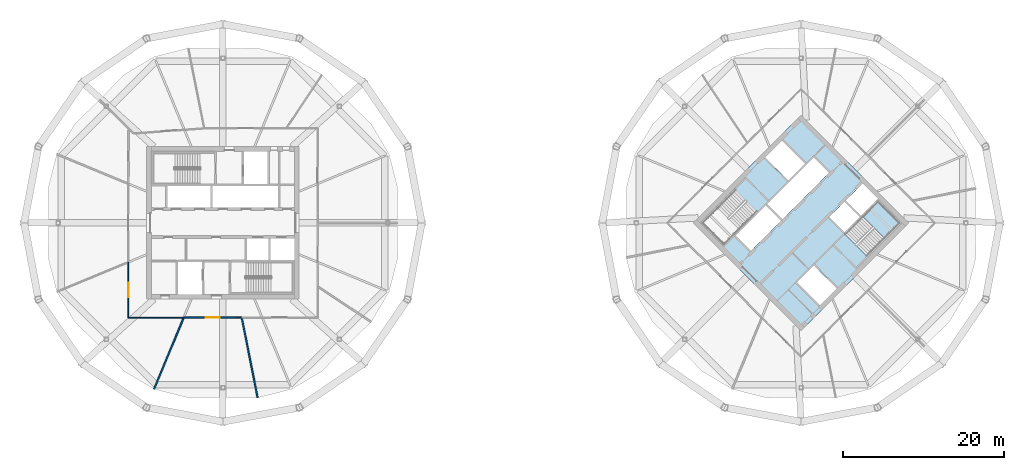
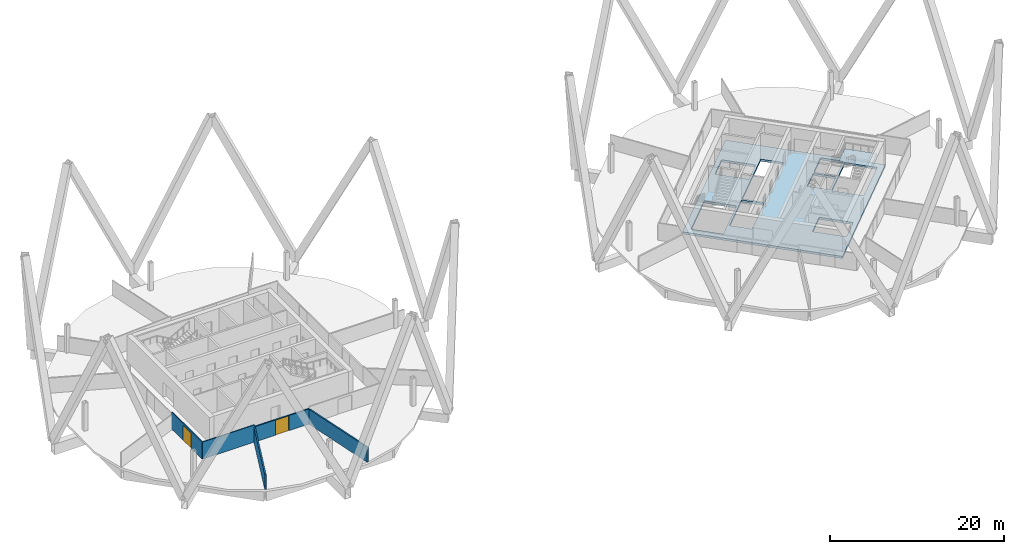
# One storey, part 4 of 10: 5 walls, 2 doors, 2 slabs, 2 openings, 1 element without a shape of its own.
"""IFC4 building model written with IfcOpenShell, lengths in metres."""

from ifc_helpers import new_model, si_unit, direction, frame, frame_2d, origin, place, context, subcontext, project, spatial, polyline, rectangle, outline, extrude, material, layer, layer_set, type_object, element, fill, aggregate, save


model = new_model("IFC4")

# Units and contexts
model_context = context("Model", 3, precision=1e-05, world=origin(), true_north=direction((0.0, 1.0)))
body_context = subcontext(model_context, "Body", "Model", "MODEL_VIEW")
ifc_project = project(units=[si_unit("LENGTHUNIT", "METRE"), si_unit("AREAUNIT", "SQUARE_METRE"), si_unit("VOLUMEUNIT", "CUBIC_METRE"), si_unit("PLANEANGLEUNIT", "RADIAN"), si_unit("MASSUNIT", "GRAM", prefix="KILO")], contexts=[model_context])

# Site, building, storey
site_placement = place(None, origin())
site = spatial("IfcSite", under=ifc_project, at=site_placement, CompositionType="ELEMENT")
building_placement = place(site_placement, origin())
building = spatial("IfcBuilding", under=site, at=building_placement, Name="Ogive Gate Towers", CompositionType="ELEMENT")
storey_placement = place(building_placement, frame((0.0, 0.0, 181.199951171875)))
storey = spatial("IfcBuildingStorey", under=building, at=storey_placement, Name="L43", CompositionType="ELEMENT", Elevation=181.199951171875)

# Slab
ifc_material_1 = material(Name="Concrete C40/50", Category="concrete")
ifc_layer_1 = layer(ifc_material_1, 0.300048828125)
ifc_layer_set_1 = layer_set([ifc_layer_1], Name="Core slab C40/50 300 mm")
slab_type_1 = type_object("IfcSlabType", Name="Core slab C40/50 300 mm", PredefinedType="FLOOR", material=ifc_layer_set_1)
slab_1_placement = place(storey_placement, frame((0.0, 0.0, -0.300048828125)))
element("IfcSlab", 1, at=slab_1_placement, inside=storey, type_object=slab_type_1, Name="T2 L43 core slab", PredefinedType="FLOOR", context=body_context, shape_type="SweptSolid", body=[
    extrude(outline(polyline([(36.0, -13.43505859375), (22.56494140625, 0.0), (36.0, 13.43505859375), (49.43505859375, 0.0), (36.0, -13.43505859375)]), holes=[polyline([(29.759765625, -3.482421875), (33.50732421875, 0.26513671875), (31.615966796875, 2.15673828125), (27.868408203125, -1.591064453125), (29.759765625, -3.482421875)]), polyline([(31.792724609375, 2.33349609375), (33.68408203125, 0.44189453125), (39.482421875, 6.240234375), (37.591064453125, 8.131591796875), (31.792724609375, 2.33349609375)]), polyline([(41.3916015625, 2.634033203125), (39.517822265625, 0.760009765625), (41.409423828125, -1.13134765625), (43.283203125, 0.742431640625), (41.3916015625, 2.634033203125)]), polyline([(45.563720703125, 3.02294921875), (43.672119140625, 4.914306640625), (41.568603515625, 2.810791015625), (43.4599609375, 0.919189453125), (45.563720703125, 3.02294921875)]), polyline([(34.408935546875, 5.30322265625), (36.4951171875, 7.389404296875), (33.64892578125, 10.2353515625), (31.56298828125, 8.1494140625), (34.408935546875, 5.30322265625)]), polyline([(35.5048828125, -7.389404296875), (38.35107421875, -10.2353515625), (40.43701171875, -8.1494140625), (37.591064453125, -5.30322265625), (35.5048828125, -7.389404296875)]), polyline([(26.40087890625, -2.70458984375), (30.512939453125, 1.406982421875), (27.80810546875, 4.11181640625), (23.6962890625, 0.0), (26.40087890625, -2.70458984375)]), polyline([(48.3037109375, 0.0), (45.59912109375, 2.70458984375), (41.487060546875, -1.406982421875), (44.19189453125, -4.11181640625), (48.3037109375, 0.0)])]), origin(), (0.0, 0.0, 1.0), 0.300048828125),
])

# Stair, slab
stair_type = type_object("IfcStairType", Name="Escape stair 1840 wide", PredefinedType="HALF_TURN_STAIR", material=ifc_material_1)
stair_placement = place(storey_placement, origin())
stair = element("IfcStair", 2, at=stair_placement, inside=storey, type_object=stair_type, Name="L43 Escape stair 2", PredefinedType="HALF_TURN_STAIR")
ifc_layer_2 = layer(ifc_material_1, 0.199951171875)
ifc_layer_set_2 = layer_set([ifc_layer_2], Name="Stair landing 200 mm")
slab_type_2 = type_object("IfcSlabType", Name="Stair landing 200 mm", PredefinedType="LANDING", material=ifc_layer_set_2)
slab_2_placement = place(storey_placement, frame((0.0, 0.0, 1.75)))
slab_2 = element("IfcSlab", 3, at=slab_2_placement, type_object=slab_type_2, Name="ST2 landing 1", PredefinedType="LANDING", context=body_context, shape_type="SweptSolid", body=[
    extrude(outline(polyline([(46.3955078125, -1.908203125), (48.3037109375, 0.0), (45.598876953125, 2.70458984375), (43.690673828125, 0.79638671875), (46.3955078125, -1.908203125)])), origin(), (0.0, 0.0, 1.0), 0.199951171875),
])
aggregate(stair, [slab_2])

# Walls
ifc_material_2 = material(Name="Gypsum board acoustic partition")
ifc_layer_3 = layer(ifc_material_2, 0.175048828125)
ifc_layer_set_3 = layer_set([ifc_layer_3], Name="Acoustic partition 175")
wall_type_1 = type_object("IfcWallType", Name="Acoustic partition 175", PredefinedType="PARTITIONING", material=ifc_layer_set_3)
wall_1_placement = place(storey_placement, frame((-44.575927734375, -20.7041015625, 0.0), z_axis=(0.0, 0.0, 1.0), x_axis=(0.382681795271, 0.923880210616, 0.0)))
element("IfcWall", 4, at=wall_1_placement, inside=storey, type_object=wall_type_1, Name="Partition T1-L43-007", PredefinedType="PARTITIONING", context=body_context, shape_type="SweptSolid", body=[
    extrude(rectangle(XDim=9.561279296875, YDim=0.175048828125, at=frame_2d((4.78076171875, 0.0))), origin(), (0.0, 0.0, 1.0), 2.10009765625),
])
wall_2_placement = place(storey_placement, frame((-31.675048828125, -21.784423828125, 0.0), z_axis=(0.0, 0.0, 1.0), x_axis=(-0.194727613988, 0.9808573578, 0.0)))
element("IfcWall", 5, at=wall_2_placement, inside=storey, type_object=wall_type_1, Name="Partition T1-L43-008", PredefinedType="PARTITIONING", context=body_context, shape_type="SweptSolid", body=[
    extrude(rectangle(XDim=10.111572265625, YDim=0.175048828125, at=frame_2d((5.0556640625, 0.0))), origin(), (0.0, 0.0, 1.0), 2.10009765625),
])

# Wall, opening, door
wall_3_placement = place(storey_placement, frame((-40.88330078125, -11.789794921875, 0.0), z_axis=(0.0, 0.0, 1.0), x_axis=(0.9999992178, 0.001250759619, 0.0)))
wall_3 = element("IfcWall", 6, at=wall_3_placement, inside=storey, type_object=wall_type_1, Name="Partition T1-L43-019", PredefinedType="PARTITIONING", context=body_context, shape_type="SweptSolid", body=[
    extrude(rectangle(XDim=7.22216796875, YDim=0.175048828125, at=frame_2d((3.611083984375, 0.0))), origin(), (0.0, 0.0, 1.0), 2.14013671875),
])
opening_1_placement = place(wall_3_placement, frame((2.7109375, 0.0, 0.0)))
opening_1 = element("IfcOpeningElement", 7, at=opening_1_placement, cuts=wall_3, Name="Opening T1-L43-D08", PredefinedType="OPENING", context=body_context, shape_type="SweptSolid", body=[
    extrude(rectangle(XDim=1.800048828125, YDim=2.10009765625, at=frame_2d((0.89990234375, 1.050048828125))), frame((0.0, 0.09765625, 0.0), z_axis=(0.0, -1.0, 0.0), x_axis=(1.0, 0.0, 0.0)), (0.0, 0.0, 1.0), 0.195068359375),
])
ifc_material_3 = material(Name="Timber door", Category="wood")
door_type = type_object("IfcDoorType", Name="Door pair 1800", OperationType="NOTDEFINED", PredefinedType="DOOR", material=ifc_material_3)
door_1_placement = place(opening_1_placement, origin())
door_1 = element("IfcDoor", 8, at=door_1_placement, inside=storey, type_object=door_type, Name="Door T1-L43-D08", OperationType="DOUBLE_DOOR_DOUBLE_SWING", OverallHeight=2.10009765625, OverallWidth=1.800048828125, PredefinedType="DOOR", context=body_context, shape_type="SweptSolid", body=[
    extrude(rectangle(XDim=1.800048828125, YDim=2.10009765625, at=frame_2d((0.89990234375, 1.050048828125))), frame((0.0, 0.02490234375, 0.0), z_axis=(0.0, -1.0, 0.0), x_axis=(1.0, 0.0, 0.0)), (0.0, 0.0, 1.0), 0.050048828125),
])
fill(opening_1, door_1)

ifc_material_4 = material(Name="Gypsum board partition")
ifc_layer_4 = layer(ifc_material_4, 0.125)
ifc_layer_set_4 = layer_set([ifc_layer_4], Name="Partition 125")
wall_type_2 = type_object("IfcWallType", Name="Partition 125", PredefinedType="PARTITIONING", material=ifc_layer_set_4)
wall_4_placement = place(storey_placement, frame((-47.789794921875, -4.88330078125, 0.0), z_axis=(0.0, 0.0, 1.0), x_axis=(0.001415977907, -0.999998997503, 0.0)))
wall_4 = element("IfcWall", 9, at=wall_4_placement, inside=storey, type_object=wall_type_2, Name="Partition T1-L43-017", PredefinedType="PARTITIONING", context=body_context, shape_type="SweptSolid", body=[
    extrude(rectangle(XDim=6.896728515625, YDim=0.125, at=frame_2d((3.4482421875, 0.0))), origin(), (0.0, 0.0, 1.0), 2.400146484375),
])
opening_2_placement = place(wall_4_placement, frame((2.548095703125, 0.0, 0.0)))
opening_2 = element("IfcOpeningElement", 10, at=opening_2_placement, cuts=wall_4, Name="Opening T1-L43-D07", PredefinedType="OPENING", context=body_context, shape_type="SweptSolid", body=[
    extrude(rectangle(XDim=1.800048828125, YDim=2.10009765625, at=frame_2d((0.89990234375, 1.050048828125))), frame((0.0, 0.072509765625, 0.0), z_axis=(0.0, -1.0, 0.0), x_axis=(1.0, 0.0, 0.0)), (0.0, 0.0, 1.0), 0.14501953125),
])
door_2_placement = place(opening_2_placement, origin())
door_2 = element("IfcDoor", 11, at=door_2_placement, inside=storey, type_object=door_type, Name="Door T1-L43-D07", OperationType="DOUBLE_DOOR_DOUBLE_SWING", OverallHeight=2.10009765625, OverallWidth=1.800048828125, PredefinedType="DOOR", context=body_context, shape_type="SweptSolid", body=[
    extrude(rectangle(XDim=1.800048828125, YDim=2.10009765625, at=frame_2d((0.89990234375, 1.050048828125))), frame((0.0, 0.02490234375, 0.0), z_axis=(0.0, -1.0, 0.0), x_axis=(1.0, 0.0, 0.0)), (0.0, 0.0, 1.0), 0.050048828125),
])
fill(opening_2, door_2)

# Wall
wall_5_placement = place(storey_placement, frame((-47.780029296875, -11.780029296875, 0.0), z_axis=(0.0, 0.0, 1.0), x_axis=(0.999998997503, -0.001415977907, 0.0)))
element("IfcWall", 12, at=wall_5_placement, inside=storey, type_object=wall_type_2, Name="Partition T1-L43-018", PredefinedType="PARTITIONING", context=body_context, shape_type="SweptSolid", body=[
    extrude(rectangle(XDim=6.896728515625, YDim=0.125, at=frame_2d((3.4482421875, 0.0))), origin(), (0.0, 0.0, 1.0), 2.400146484375),
])

save(model, "model.ifc")
